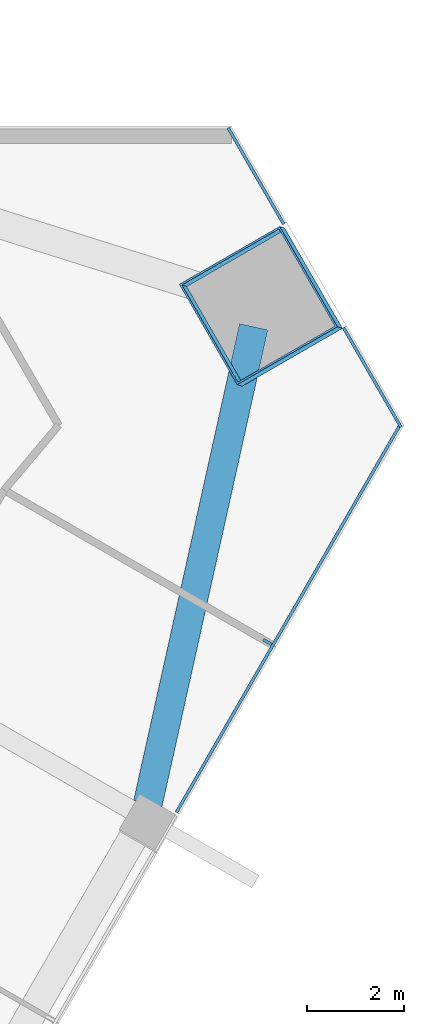
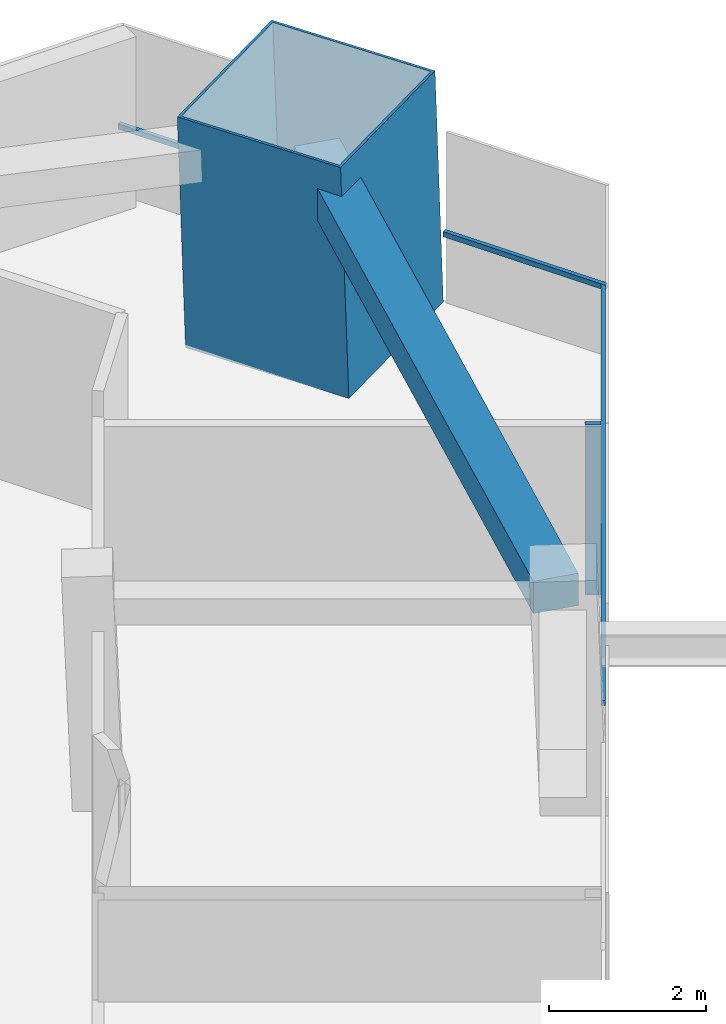
# One storey, part 7 of 13: 5 members, 1 beam, 2 elements without a shape of their own.
"""IFC4 building model written with IfcOpenShell, lengths in metres."""

from ifc_helpers import new_model, si_unit, direction, frame, origin, origin_2d, place, context, subcontext, project, spatial, rectangle, hollow_rectangle, extrude, material, layer, layer_set, material_profile, profile_set, type_object, element, aggregate, save


model = new_model("IFC4")

# Units and contexts
model_context = context("Model", 3, precision=1e-05, world=origin(), true_north=direction((0.0, 1.0)))
body_context = subcontext(model_context, "Body", "Model", "MODEL_VIEW")
ifc_project = project(units=[si_unit("LENGTHUNIT", "METRE"), si_unit("AREAUNIT", "SQUARE_METRE"), si_unit("VOLUMEUNIT", "CUBIC_METRE"), si_unit("PLANEANGLEUNIT", "RADIAN"), si_unit("MASSUNIT", "GRAM", prefix="KILO")], contexts=[model_context])

# Site, building, storey
site_placement = place(None, origin())
site = spatial("IfcSite", under=ifc_project, at=site_placement, CompositionType="ELEMENT")
building_placement = place(site_placement, origin())
building = spatial("IfcBuilding", under=site, at=building_placement, Name="Altiplano Prism Tower", CompositionType="ELEMENT")
storey_placement = place(building_placement, frame((0.0, 0.0, 160.199951171875)))
storey = spatial("IfcBuildingStorey", under=building, at=storey_placement, Name="L41", CompositionType="ELEMENT", Elevation=160.199951171875)

# Curtain wall, members
ifc_material_1 = material(Name="Aluminium and glass", Category="aluminium")
ifc_layer = layer(ifc_material_1, 0.303955078125)
ifc_layer_set = layer_set([ifc_layer], Name="Aluminium and glass")
curtain_wall_type = type_object("IfcCurtainWallType", Name="CW2 lounge-band unitised glazing", PredefinedType="NOTDEFINED", material=ifc_layer_set)
curtain_wall_1_placement = place(storey_placement, origin())
curtain_wall_1 = element("IfcCurtainWall", 1, at=curtain_wall_1_placement, inside=storey, type_object=curtain_wall_type, Name="CW2 curtain wall south-east face L41", PredefinedType="NOTDEFINED")
ifc_material_2 = material(Name="Aluminium", Category="aluminium")
ifc_material_profile_1 = material_profile(ifc_material_2, rectangle(XDim=0.199951171875, YDim=0.06005859375, at=origin_2d()), Name="CW2 mullion 60 x 200")
ifc_profile_set_1 = profile_set([ifc_material_profile_1], Name="Aluminium")
member_type_1 = type_object("IfcMemberType", Name="CW2 mullion 60 x 200", PredefinedType="MULLION", material=ifc_profile_set_1)
member_1_placement = place(storey_placement, frame((109.05029296875, 94.316650390625, 0.0), z_axis=(0.0, 0.0, 1.0), x_axis=(-0.866025401978, 0.500000003129, 0.0)))
member_1 = element("IfcMember", 2, at=member_1_placement, type_object=member_type_1, Name="CW2 mullion", PredefinedType="MULLION", context=body_context, shape_type="SweptSolid", body=[
    extrude(rectangle(XDim=0.199951171875, YDim=0.06005859375, at=origin_2d()), origin(), (0.0, 0.0, 1.0), 2.650146484375),
])
ifc_material_profile_2 = material_profile(ifc_material_2, rectangle(XDim=0.06005859375, YDim=0.080078125, at=origin_2d()), Name="CW2 transom 80 x 60")
ifc_profile_set_2 = profile_set([ifc_material_profile_2], Name="Aluminium")
member_type_2 = type_object("IfcMemberType", Name="CW2 transom 80 x 60", PredefinedType="USERDEFINED", material=ifc_profile_set_2)
member_2_placement = place(storey_placement, frame((107.1650390625, 90.79150390625, 1.10009765625), z_axis=(0.500011136814, 0.866018973846, 0.0), x_axis=(-0.866018973846, 0.500011136814, 0.0)))
member_2 = element("IfcMember", 3, at=member_2_placement, type_object=member_type_2, Name="CW2 transom", ObjectType="TRANSOM", PredefinedType="USERDEFINED", context=body_context, shape_type="SweptSolid", body=[
    extrude(rectangle(XDim=0.06005859375, YDim=0.080078125, at=origin_2d()), origin(), (0.0, 0.0, 1.0), 9.297119140625),
])
aggregate(curtain_wall_1, [member_1, member_2])

curtain_wall_2_placement = place(storey_placement, origin())
curtain_wall_2 = element("IfcCurtainWall", 4, at=curtain_wall_2_placement, inside=storey, type_object=curtain_wall_type, Name="CW2 curtain wall north-east chamfer L41", PredefinedType="NOTDEFINED")
member_3_placement = place(storey_placement, frame((111.813720703125, 98.76904296875, 1.10009765625), z_axis=(-0.499962593347, 0.866046999449, 0.0), x_axis=(-0.866046999449, -0.499962593347, 0.0)))
member_3 = element("IfcMember", 5, at=member_3_placement, type_object=member_type_2, Name="CW2 transom", ObjectType="TRANSOM", PredefinedType="USERDEFINED", context=body_context, shape_type="SweptSolid", body=[
    extrude(rectangle(XDim=0.06005859375, YDim=0.080078125, at=origin_2d()), origin(), (0.0, 0.0, 1.0), 2.376220703125),
])
member_4_placement = place(storey_placement, frame((109.3857421875, 102.974609375, 1.10009765625), z_axis=(-0.500084485187, 0.865976620744, 0.0), x_axis=(-0.865976620744, -0.500084485187, 0.0)))
member_4 = element("IfcMember", 6, at=member_4_placement, type_object=member_type_2, Name="CW2 transom", ObjectType="TRANSOM", PredefinedType="USERDEFINED", context=body_context, shape_type="SweptSolid", body=[
    extrude(rectangle(XDim=0.06005859375, YDim=0.080078125, at=origin_2d()), origin(), (0.0, 0.0, 1.0), 2.2958984375),
])
aggregate(curtain_wall_2, [member_3, member_4])

# Beam
ifc_material_3 = material(Name="Concrete C60/75", Category="concrete")
ifc_material_profile_3 = material_profile(ifc_material_3, rectangle(XDim=0.60009765625, YDim=0.5, at=origin_2d()), Name="Edge beam 600x500")
ifc_profile_set_3 = profile_set([ifc_material_profile_3], Name="Concrete C60/75")
beam_type = type_object("IfcBeamType", Name="Edge beam 600x500", PredefinedType="SPANDREL", material=ifc_profile_set_3)
beam_placement = place(storey_placement, frame((106.572021484375, 90.973388671875, 2.900146484375), z_axis=(0.216738766278, 0.976229638555, 0.0), x_axis=(-0.976229638555, 0.216738766278, 0.0)))
element("IfcBeam", 7, at=beam_placement, inside=storey, type_object=beam_type, Name="Edge beam P24-M2 L42", PredefinedType="SPANDREL", context=body_context, shape_type="SweptSolid", body=[
    extrude(rectangle(XDim=0.60009765625, YDim=0.5, at=origin_2d()), origin(), (0.0, 0.0, 1.0), 10.1142578125),
])

# Member
ifc_material_4 = material(Name="Steel S460", Category="steel")
ifc_material_profile_4 = material_profile(ifc_material_4, hollow_rectangle(XDim=2.39990234375, YDim=2.39990234375, WallThickness=0.0400390625, at=origin_2d()), Name="Mega column tube 2400")
ifc_profile_set_4 = profile_set([ifc_material_profile_4], Name="Steel S460")
member_type_3 = type_object("IfcMemberType", Name="Mega column tube 2400", PredefinedType="POST", material=ifc_profile_set_4)
member_5_placement = place(storey_placement, frame((108.9638671875, 101.2529296875, 0.0), z_axis=(-0.028401796786, 0.009286506348, 0.999553449666), x_axis=(0.498881183205, -0.866385379601, 0.022224739778)))
element("IfcMember", 8, at=member_5_placement, inside=storey, type_object=member_type_3, Name="Mega column tube M2 L41", PredefinedType="POST", context=body_context, shape_type="SweptSolid", body=[
    extrude(hollow_rectangle(XDim=2.39990234375, YDim=2.39990234375, WallThickness=0.0400390625, at=origin_2d()), origin(), (0.0, 0.0, 1.0), 3.601806640625),
])

save(model, "model.ifc")
